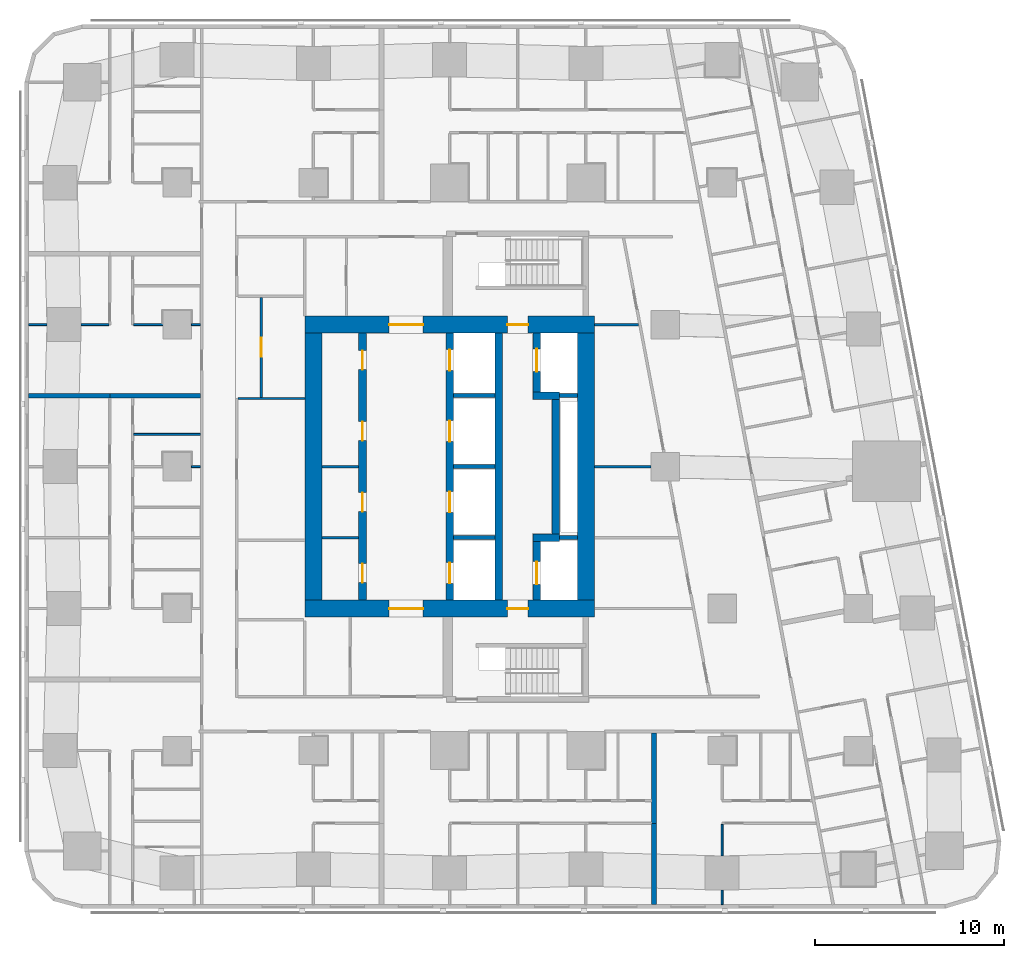
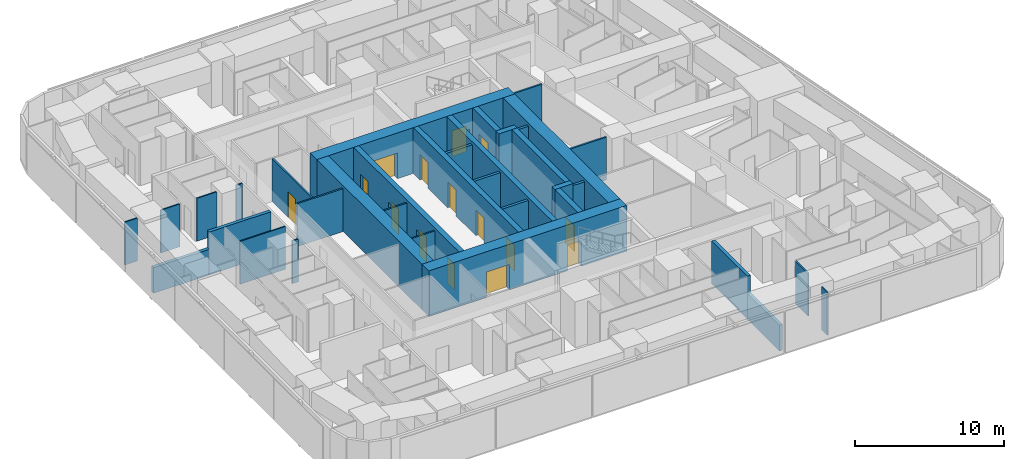
# One storey, part 5 of 14: 35 walls, 15 doors, 15 openings.
"""IFC4 building model written with IfcOpenShell, lengths in metres."""

from ifc_helpers import new_model, si_unit, direction, frame, frame_2d, origin, place, context, subcontext, project, spatial, rectangle, extrude, material, layer, layer_set, type_object, element, fill, save


model = new_model("IFC4")

# Units and contexts
model_context = context("Model", 3, precision=1e-05, world=origin(), true_north=direction((0.0, 1.0)))
body_context = subcontext(model_context, "Body", "Model", "MODEL_VIEW")
ifc_project = project(units=[si_unit("LENGTHUNIT", "METRE"), si_unit("AREAUNIT", "SQUARE_METRE"), si_unit("VOLUMEUNIT", "CUBIC_METRE"), si_unit("PLANEANGLEUNIT", "RADIAN"), si_unit("MASSUNIT", "GRAM", prefix="KILO")], contexts=[model_context])

# Site, building, storey
site_placement = place(None, origin())
site = spatial("IfcSite", under=ifc_project, at=site_placement, CompositionType="ELEMENT")
building_placement = place(site_placement, origin())
building = spatial("IfcBuilding", under=site, at=building_placement, Name="Sheger Commons Tower", CompositionType="ELEMENT")
storey_placement = place(building_placement, frame((0.0, 0.0, 135.800048828125)))
storey = spatial("IfcBuildingStorey", under=building, at=storey_placement, Name="L34", CompositionType="ELEMENT", Elevation=135.800048828125)

# Wall, openings, doors
ifc_material_1 = material(Name="Concrete C50/60", Category="concrete")
ifc_layer_1 = layer(ifc_material_1, 0.39990234375)
ifc_layer_set_1 = layer_set([ifc_layer_1], Name="CORE INNER WALL 400")
wall_type_1 = type_object("IfcWallType", Name="CORE INNER WALL 400", PredefinedType="SHEAR", material=ifc_layer_set_1)
wall_1_placement = place(storey_placement, frame((17.0, 15.449951171875, 0.0), z_axis=(0.0, 0.0, 1.0), x_axis=(0.0, 1.0, 0.0)))
wall_1 = element("IfcWall", 1, at=wall_1_placement, inside=storey, type_object=wall_type_1, Name="Core inner wall A L34", PredefinedType="SHEAR", context=body_context, shape_type="SweptSolid", body=[
    extrude(rectangle(XDim=14.10009765625, YDim=0.39990234375, at=frame_2d((7.050048828125, 0.0))), origin(), (0.0, 0.0, 1.0), 3.75),
])
opening_1_placement = place(wall_1_placement, frame((0.925048828125, 0.0, 0.0)))
opening_1 = element("IfcOpeningElement", 2, at=opening_1_placement, cuts=wall_1, Name="Opening D4", PredefinedType="OPENING", context=body_context, shape_type="SweptSolid", body=[
    extrude(rectangle(XDim=1.0, YDim=2.10009765625, at=frame_2d((0.5, 1.050048828125))), frame((0.0, 0.2099609375, 0.0), z_axis=(0.0, -1.0, 0.0), x_axis=(1.0, 0.0, 0.0)), (0.0, 0.0, 1.0), 0.419921875),
])
opening_2_placement = place(wall_1_placement, frame((4.675048828125, 0.0, 0.0)))
opening_2 = element("IfcOpeningElement", 3, at=opening_2_placement, cuts=wall_1, Name="Opening D4", PredefinedType="OPENING", context=body_context, shape_type="SweptSolid", body=[
    extrude(rectangle(XDim=1.0, YDim=2.10009765625, at=frame_2d((0.5, 1.050048828125))), frame((0.0, 0.2099609375, 0.0), z_axis=(0.0, -1.0, 0.0), x_axis=(1.0, 0.0, 0.0)), (0.0, 0.0, 1.0), 0.419921875),
])
opening_3_placement = place(wall_1_placement, frame((8.425048828125, 0.0, 0.0)))
opening_3 = element("IfcOpeningElement", 4, at=opening_3_placement, cuts=wall_1, Name="Opening D4", PredefinedType="OPENING", context=body_context, shape_type="SweptSolid", body=[
    extrude(rectangle(XDim=1.0, YDim=2.10009765625, at=frame_2d((0.5, 1.050048828125))), frame((0.0, 0.2099609375, 0.0), z_axis=(0.0, -1.0, 0.0), x_axis=(1.0, 0.0, 0.0)), (0.0, 0.0, 1.0), 0.419921875),
])
opening_4_placement = place(wall_1_placement, frame((12.175048828125, 0.0, 0.0)))
opening_4 = element("IfcOpeningElement", 5, at=opening_4_placement, cuts=wall_1, Name="Opening D4", PredefinedType="OPENING", context=body_context, shape_type="SweptSolid", body=[
    extrude(rectangle(XDim=1.0, YDim=2.10009765625, at=frame_2d((0.5, 1.050048828125))), frame((0.0, 0.2099609375, 0.0), z_axis=(0.0, -1.0, 0.0), x_axis=(1.0, 0.0, 0.0)), (0.0, 0.0, 1.0), 0.419921875),
])
ifc_material_2 = material(Name="Steel door set, fire rated", Category="steel")
door_type_1 = type_object("IfcDoorType", Name="SERVICE DOOR 1000x2100", OperationType="NOTDEFINED", PredefinedType="DOOR", material=ifc_material_2)
door_1_placement = place(opening_1_placement, origin())
door_1 = element("IfcDoor", 6, at=door_1_placement, inside=storey, type_object=door_type_1, Name="Staff WC door", OperationType="SINGLE_SWING_LEFT", OverallHeight=2.10009765625, OverallWidth=1.0, PredefinedType="DOOR", context=body_context, shape_type="SweptSolid", body=[
    extrude(rectangle(XDim=1.0, YDim=2.10009765625, at=frame_2d((0.5, 1.050048828125))), frame((0.0, 0.02490234375, 0.0), z_axis=(0.0, -1.0, 0.0), x_axis=(1.0, 0.0, 0.0)), (0.0, 0.0, 1.0), 0.050048828125),
])
fill(opening_1, door_1)
door_2_placement = place(opening_2_placement, origin())
door_2 = element("IfcDoor", 7, at=door_2_placement, inside=storey, type_object=door_type_1, Name="Cleaner's store door", OperationType="SINGLE_SWING_RIGHT", OverallHeight=2.10009765625, OverallWidth=1.0, PredefinedType="DOOR", context=body_context, shape_type="SweptSolid", body=[
    extrude(rectangle(XDim=1.0, YDim=2.10009765625, at=frame_2d((0.5, 1.050048828125))), frame((0.0, 0.02490234375, 0.0), z_axis=(0.0, -1.0, 0.0), x_axis=(1.0, 0.0, 0.0)), (0.0, 0.0, 1.0), 0.050048828125),
])
fill(opening_2, door_2)
door_3_placement = place(opening_3_placement, origin())
door_3 = element("IfcDoor", 8, at=door_3_placement, inside=storey, type_object=door_type_1, Name="Linen and housekeeping store door", OperationType="SINGLE_SWING_LEFT", OverallHeight=2.10009765625, OverallWidth=1.0, PredefinedType="DOOR", context=body_context, shape_type="SweptSolid", body=[
    extrude(rectangle(XDim=1.0, YDim=2.10009765625, at=frame_2d((0.5, 1.050048828125))), frame((0.0, 0.02490234375, 0.0), z_axis=(0.0, -1.0, 0.0), x_axis=(1.0, 0.0, 0.0)), (0.0, 0.0, 1.0), 0.050048828125),
])
fill(opening_3, door_3)
door_4_placement = place(opening_4_placement, origin())
door_4 = element("IfcDoor", 9, at=door_4_placement, inside=storey, type_object=door_type_1, Name="Linen and housekeeping store door", OperationType="SINGLE_SWING_RIGHT", OverallHeight=2.10009765625, OverallWidth=1.0, PredefinedType="DOOR", context=body_context, shape_type="SweptSolid", body=[
    extrude(rectangle(XDim=1.0, YDim=2.10009765625, at=frame_2d((0.5, 1.050048828125))), frame((0.0, 0.02490234375, 0.0), z_axis=(0.0, -1.0, 0.0), x_axis=(1.0, 0.0, 0.0)), (0.0, 0.0, 1.0), 0.050048828125),
])
fill(opening_4, door_4)

wall_2_placement = place(storey_placement, frame((21.60009765625, 15.449951171875, 0.0), z_axis=(0.0, 0.0, 1.0), x_axis=(0.0, 1.0, 0.0)))
wall_2 = element("IfcWall", 10, at=wall_2_placement, inside=storey, type_object=wall_type_1, Name="Core inner wall L L34", PredefinedType="SHEAR", context=body_context, shape_type="SweptSolid", body=[
    extrude(rectangle(XDim=14.10009765625, YDim=0.39990234375, at=frame_2d((7.050048828125, 0.0))), origin(), (0.0, 0.0, 1.0), 3.75),
])
opening_5_placement = place(wall_2_placement, frame((0.875, 0.0, 0.0)))
opening_5 = element("IfcOpeningElement", 11, at=opening_5_placement, cuts=wall_2, Name="Opening LD", PredefinedType="OPENING", context=body_context, shape_type="SweptSolid", body=[
    extrude(rectangle(XDim=1.10009765625, YDim=2.10009765625, at=frame_2d((0.550048828125, 1.050048828125))), frame((0.0, 0.2099609375, 0.0), z_axis=(0.0, -1.0, 0.0), x_axis=(1.0, 0.0, 0.0)), (0.0, 0.0, 1.0), 0.419921875),
])
opening_6_placement = place(wall_2_placement, frame((4.625, 0.0, 0.0)))
opening_6 = element("IfcOpeningElement", 12, at=opening_6_placement, cuts=wall_2, Name="Opening LD", PredefinedType="OPENING", context=body_context, shape_type="SweptSolid", body=[
    extrude(rectangle(XDim=1.10009765625, YDim=2.10009765625, at=frame_2d((0.550048828125, 1.050048828125))), frame((0.0, 0.2099609375, 0.0), z_axis=(0.0, -1.0, 0.0), x_axis=(1.0, 0.0, 0.0)), (0.0, 0.0, 1.0), 0.419921875),
])
opening_7_placement = place(wall_2_placement, frame((8.375, 0.0, 0.0)))
opening_7 = element("IfcOpeningElement", 13, at=opening_7_placement, cuts=wall_2, Name="Opening LD", PredefinedType="OPENING", context=body_context, shape_type="SweptSolid", body=[
    extrude(rectangle(XDim=1.10009765625, YDim=2.10009765625, at=frame_2d((0.550048828125, 1.050048828125))), frame((0.0, 0.2099609375, 0.0), z_axis=(0.0, -1.0, 0.0), x_axis=(1.0, 0.0, 0.0)), (0.0, 0.0, 1.0), 0.419921875),
])
opening_8_placement = place(wall_2_placement, frame((12.125, 0.0, 0.0)))
opening_8 = element("IfcOpeningElement", 14, at=opening_8_placement, cuts=wall_2, Name="Opening LD", PredefinedType="OPENING", context=body_context, shape_type="SweptSolid", body=[
    extrude(rectangle(XDim=1.10009765625, YDim=2.10009765625, at=frame_2d((0.550048828125, 1.050048828125))), frame((0.0, 0.2099609375, 0.0), z_axis=(0.0, -1.0, 0.0), x_axis=(1.0, 0.0, 0.0)), (0.0, 0.0, 1.0), 0.419921875),
])
ifc_material_3 = material(Name="Steel door set, fire rated", Category="steel")
door_type_2 = type_object("IfcDoorType", Name="LIFT LANDING DOOR 1100x2100", OperationType="DOUBLE_DOOR_SLIDING", PredefinedType="DOOR", material=ifc_material_3)
door_5_placement = place(opening_5_placement, origin())
door_5 = element("IfcDoor", 15, at=door_5_placement, inside=storey, type_object=door_type_2, Name="Lift LB1 landing door", OperationType="DOUBLE_DOOR_SLIDING", OverallHeight=2.10009765625, OverallWidth=1.10009765625, PredefinedType="DOOR", context=body_context, shape_type="SweptSolid", body=[
    extrude(rectangle(XDim=1.10009765625, YDim=2.10009765625, at=frame_2d((0.550048828125, 1.050048828125))), frame((0.0, 0.02490234375, 0.0), z_axis=(0.0, -1.0, 0.0), x_axis=(1.0, 0.0, 0.0)), (0.0, 0.0, 1.0), 0.050048828125),
])
fill(opening_5, door_5)
door_6_placement = place(opening_6_placement, origin())
door_6 = element("IfcDoor", 16, at=door_6_placement, inside=storey, type_object=door_type_2, Name="Lift LB2 landing door", OperationType="DOUBLE_DOOR_SLIDING", OverallHeight=2.10009765625, OverallWidth=1.10009765625, PredefinedType="DOOR", context=body_context, shape_type="SweptSolid", body=[
    extrude(rectangle(XDim=1.10009765625, YDim=2.10009765625, at=frame_2d((0.550048828125, 1.050048828125))), frame((0.0, 0.02490234375, 0.0), z_axis=(0.0, -1.0, 0.0), x_axis=(1.0, 0.0, 0.0)), (0.0, 0.0, 1.0), 0.050048828125),
])
fill(opening_6, door_6)
door_7_placement = place(opening_7_placement, origin())
door_7 = element("IfcDoor", 17, at=door_7_placement, inside=storey, type_object=door_type_2, Name="Lift LB3 landing door", OperationType="DOUBLE_DOOR_SLIDING", OverallHeight=2.10009765625, OverallWidth=1.10009765625, PredefinedType="DOOR", context=body_context, shape_type="SweptSolid", body=[
    extrude(rectangle(XDim=1.10009765625, YDim=2.10009765625, at=frame_2d((0.550048828125, 1.050048828125))), frame((0.0, 0.02490234375, 0.0), z_axis=(0.0, -1.0, 0.0), x_axis=(1.0, 0.0, 0.0)), (0.0, 0.0, 1.0), 0.050048828125),
])
fill(opening_7, door_7)
door_8_placement = place(opening_8_placement, origin())
door_8 = element("IfcDoor", 18, at=door_8_placement, inside=storey, type_object=door_type_2, Name="Lift LB4 landing door", OperationType="DOUBLE_DOOR_SLIDING", OverallHeight=2.10009765625, OverallWidth=1.10009765625, PredefinedType="DOOR", context=body_context, shape_type="SweptSolid", body=[
    extrude(rectangle(XDim=1.10009765625, YDim=2.10009765625, at=frame_2d((0.550048828125, 1.050048828125))), frame((0.0, 0.02490234375, 0.0), z_axis=(0.0, -1.0, 0.0), x_axis=(1.0, 0.0, 0.0)), (0.0, 0.0, 1.0), 0.050048828125),
])
fill(opening_8, door_8)

# Wall
wall_3_placement = place(storey_placement, frame((24.199951171875, 15.449951171875, 0.0), z_axis=(0.0, 0.0, 1.0), x_axis=(0.0, 1.0, 0.0)))
element("IfcWall", 19, at=wall_3_placement, inside=storey, type_object=wall_type_1, Name="Core inner wall B L34", PredefinedType="SHEAR", context=body_context, shape_type="SweptSolid", body=[
    extrude(rectangle(XDim=14.10009765625, YDim=0.39990234375, at=frame_2d((7.050048828125, 0.0))), origin(), (0.0, 0.0, 1.0), 3.75),
])

# Wall, opening, door
wall_4_placement = place(storey_placement, frame((26.199951171875, 15.449951171875, 0.0), z_axis=(0.0, 0.0, 1.0), x_axis=(0.0, 1.0, 0.0)))
wall_4 = element("IfcWall", 20, at=wall_4_placement, inside=storey, type_object=wall_type_1, Name="Core inner wall F L34", PredefinedType="SHEAR", context=body_context, shape_type="SweptSolid", body=[
    extrude(rectangle(XDim=3.10009765625, YDim=0.39990234375, at=frame_2d((1.550048828125, 0.0))), origin(), (0.0, 0.0, 1.0), 3.75),
])
opening_9_placement = place(wall_4_placement, frame((0.824951171875, 0.0, 0.0)))
opening_9 = element("IfcOpeningElement", 21, at=opening_9_placement, cuts=wall_4, Name="Opening LD2", PredefinedType="OPENING", context=body_context, shape_type="SweptSolid", body=[
    extrude(rectangle(XDim=1.199951171875, YDim=2.10009765625, at=frame_2d((0.60009765625, 1.050048828125))), frame((0.0, 0.2099609375, 0.0), z_axis=(0.0, -1.0, 0.0), x_axis=(1.0, 0.0, 0.0)), (0.0, 0.0, 1.0), 0.419921875),
])
ifc_material_4 = material(Name="Steel door set, fire rated", Category="steel")
door_type_3 = type_object("IfcDoorType", Name="FIREFIGHTING LIFT LANDING DOOR 1200x2100", OperationType="DOUBLE_DOOR_SLIDING", PredefinedType="DOOR", material=ifc_material_4)
door_9_placement = place(opening_9_placement, origin())
door_9 = element("IfcDoor", 22, at=door_9_placement, inside=storey, type_object=door_type_3, Name="Lift FL1 landing door", OperationType="DOUBLE_DOOR_SLIDING", OverallHeight=2.10009765625, OverallWidth=1.199951171875, PredefinedType="DOOR", context=body_context, shape_type="SweptSolid", body=[
    extrude(rectangle(XDim=1.199951171875, YDim=2.10009765625, at=frame_2d((0.60009765625, 1.050048828125))), frame((0.0, 0.02490234375, 0.0), z_axis=(0.0, -1.0, 0.0), x_axis=(1.0, 0.0, 0.0)), (0.0, 0.0, 1.0), 0.050048828125),
])
fill(opening_9, door_9)

# Walls
wall_5_placement = place(storey_placement, frame((26.0, 18.75, 0.0), z_axis=(0.0, 0.0, 1.0), x_axis=(1.0, 0.0, 0.0)))
element("IfcWall", 23, at=wall_5_placement, inside=storey, type_object=wall_type_1, Name="Core inner wall F south return L34", PredefinedType="SHEAR", context=body_context, shape_type="SweptSolid", body=[
    extrude(rectangle(XDim=1.39990234375, YDim=0.39990234375, at=frame_2d((0.699951171875, 0.0))), origin(), (0.0, 0.0, 1.0), 3.75),
])
wall_6_placement = place(storey_placement, frame((27.199951171875, 18.949951171875, 0.0), z_axis=(0.0, 0.0, 1.0), x_axis=(0.0, 1.0, 0.0)))
element("IfcWall", 24, at=wall_6_placement, inside=storey, type_object=wall_type_1, Name="Core inner wall F middle L34", PredefinedType="SHEAR", context=body_context, shape_type="SweptSolid", body=[
    extrude(rectangle(XDim=7.10009765625, YDim=0.39990234375, at=frame_2d((3.550048828125, 0.0))), origin(), (0.0, 0.0, 1.0), 3.75),
])
wall_7_placement = place(storey_placement, frame((26.0, 26.25, 0.0), z_axis=(0.0, 0.0, 1.0), x_axis=(1.0, 0.0, 0.0)))
element("IfcWall", 25, at=wall_7_placement, inside=storey, type_object=wall_type_1, Name="Core inner wall F north return L34", PredefinedType="SHEAR", context=body_context, shape_type="SweptSolid", body=[
    extrude(rectangle(XDim=1.39990234375, YDim=0.39990234375, at=frame_2d((0.699951171875, 0.0))), origin(), (0.0, 0.0, 1.0), 3.75),
])

# Wall, opening, door
wall_8_placement = place(storey_placement, frame((26.199951171875, 26.449951171875, 0.0), z_axis=(0.0, 0.0, 1.0), x_axis=(0.0, 1.0, 0.0)))
wall_8 = element("IfcWall", 26, at=wall_8_placement, inside=storey, type_object=wall_type_1, Name="Core inner wall F north L34", PredefinedType="SHEAR", context=body_context, shape_type="SweptSolid", body=[
    extrude(rectangle(XDim=3.10009765625, YDim=0.39990234375, at=frame_2d((1.550048828125, 0.0))), origin(), (0.0, 0.0, 1.0), 3.75),
])
opening_10_placement = place(wall_8_placement, frame((1.074951171875, 0.0, 0.0)))
opening_10 = element("IfcOpeningElement", 27, at=opening_10_placement, cuts=wall_8, Name="Opening LD2", PredefinedType="OPENING", context=body_context, shape_type="SweptSolid", body=[
    extrude(rectangle(XDim=1.199951171875, YDim=2.10009765625, at=frame_2d((0.60009765625, 1.050048828125))), frame((0.0, 0.2099609375, 0.0), z_axis=(0.0, -1.0, 0.0), x_axis=(1.0, 0.0, 0.0)), (0.0, 0.0, 1.0), 0.419921875),
])
door_10_placement = place(opening_10_placement, origin())
door_10 = element("IfcDoor", 28, at=door_10_placement, inside=storey, type_object=door_type_3, Name="Lift FL2 landing door", OperationType="DOUBLE_DOOR_SLIDING", OverallHeight=2.10009765625, OverallWidth=1.199951171875, PredefinedType="DOOR", context=body_context, shape_type="SweptSolid", body=[
    extrude(rectangle(XDim=1.199951171875, YDim=2.10009765625, at=frame_2d((0.60009765625, 1.050048828125))), frame((0.0, 0.02490234375, 0.0), z_axis=(0.0, -1.0, 0.0), x_axis=(1.0, 0.0, 0.0)), (0.0, 0.0, 1.0), 0.050048828125),
])
fill(opening_10, door_10)

# Wall, openings, doors
ifc_material_5 = material(Name="Concrete C50/60", Category="concrete")
ifc_layer_2 = layer(ifc_material_5, 0.89990234375)
ifc_layer_set_2 = layer_set([ifc_layer_2], Name="CORE WALL 900")
wall_type_2 = type_object("IfcWallType", Name="CORE WALL 900", PredefinedType="SHEAR", material=ifc_layer_set_2)
wall_9_placement = place(storey_placement, frame((13.949951171875, 15.0, 0.0), z_axis=(0.0, 0.0, 1.0), x_axis=(1.0, 0.0, 0.0)))
wall_9 = element("IfcWall", 29, at=wall_9_placement, inside=storey, type_object=wall_type_2, Name="Core wall south L34", PredefinedType="SHEAR", context=body_context, shape_type="SweptSolid", body=[
    extrude(rectangle(XDim=15.300048828125, YDim=0.89990234375, at=frame_2d((7.64990234375, 0.0))), origin(), (0.0, 0.0, 1.0), 3.75),
])
opening_11_placement = place(wall_9_placement, frame((4.449951171875, 0.0, 0.0)))
opening_11 = element("IfcOpeningElement", 30, at=opening_11_placement, cuts=wall_9, Name="Opening D6", PredefinedType="OPENING", context=body_context, shape_type="SweptSolid", body=[
    extrude(rectangle(XDim=1.800048828125, YDim=2.10009765625, at=frame_2d((0.89990234375, 1.050048828125))), frame((0.0, 0.4599609375, 0.0), z_axis=(0.0, -1.0, 0.0), x_axis=(1.0, 0.0, 0.0)), (0.0, 0.0, 1.0), 0.919921875),
])
opening_12_placement = place(wall_9_placement, frame((10.699951171875, 0.0, 0.0)))
opening_12 = element("IfcOpeningElement", 31, at=opening_12_placement, cuts=wall_9, Name="Opening D5", PredefinedType="OPENING", context=body_context, shape_type="SweptSolid", body=[
    extrude(rectangle(XDim=1.10009765625, YDim=2.10009765625, at=frame_2d((0.550048828125, 1.050048828125))), frame((0.0, 0.4599609375, 0.0), z_axis=(0.0, -1.0, 0.0), x_axis=(1.0, 0.0, 0.0)), (0.0, 0.0, 1.0), 0.919921875),
])
ifc_material_6 = material(Name="Steel door set, fire rated", Category="steel")
door_type_4 = type_object("IfcDoorType", Name="LOBBY DOUBLE DOOR 1800x2100", OperationType="DOUBLE_DOOR_SINGLE_SWING", PredefinedType="DOOR", material=ifc_material_6)
door_11_placement = place(opening_11_placement, origin())
door_11 = element("IfcDoor", 32, at=door_11_placement, inside=storey, type_object=door_type_4, Name="Lift lobby door", OperationType="DOUBLE_DOOR_SINGLE_SWING", OverallHeight=2.10009765625, OverallWidth=1.800048828125, PredefinedType="DOOR", context=body_context, shape_type="SweptSolid", body=[
    extrude(rectangle(XDim=1.800048828125, YDim=2.10009765625, at=frame_2d((0.89990234375, 1.050048828125))), frame((0.0, 0.02490234375, 0.0), z_axis=(0.0, -1.0, 0.0), x_axis=(1.0, 0.0, 0.0)), (0.0, 0.0, 1.0), 0.050048828125),
])
fill(opening_11, door_11)
ifc_material_7 = material(Name="Steel door set, fire rated", Category="steel")
door_type_5 = type_object("IfcDoorType", Name="STAIR DOOR 1100x2100", OperationType="NOTDEFINED", PredefinedType="DOOR", material=ifc_material_7)
door_12_placement = place(opening_12_placement, origin())
door_12 = element("IfcDoor", 33, at=door_12_placement, inside=storey, type_object=door_type_5, Name="Fire-fighting lobby door", OperationType="SINGLE_SWING_RIGHT", OverallHeight=2.10009765625, OverallWidth=1.10009765625, PredefinedType="DOOR", context=body_context, shape_type="SweptSolid", body=[
    extrude(rectangle(XDim=1.10009765625, YDim=2.10009765625, at=frame_2d((0.550048828125, 1.050048828125))), frame((0.0, 0.02490234375, 0.0), z_axis=(0.0, -1.0, 0.0), x_axis=(1.0, 0.0, 0.0)), (0.0, 0.0, 1.0), 0.050048828125),
])
fill(opening_12, door_12)

wall_10_placement = place(storey_placement, frame((13.949951171875, 30.0, 0.0), z_axis=(0.0, 0.0, 1.0), x_axis=(1.0, 0.0, 0.0)))
wall_10 = element("IfcWall", 34, at=wall_10_placement, inside=storey, type_object=wall_type_2, Name="Core wall north L34", PredefinedType="SHEAR", context=body_context, shape_type="SweptSolid", body=[
    extrude(rectangle(XDim=15.300048828125, YDim=0.89990234375, at=frame_2d((7.64990234375, 0.0))), origin(), (0.0, 0.0, 1.0), 3.75),
])
opening_13_placement = place(wall_10_placement, frame((4.449951171875, 0.0, 0.0)))
opening_13 = element("IfcOpeningElement", 35, at=opening_13_placement, cuts=wall_10, Name="Opening D6", PredefinedType="OPENING", context=body_context, shape_type="SweptSolid", body=[
    extrude(rectangle(XDim=1.800048828125, YDim=2.10009765625, at=frame_2d((0.89990234375, 1.050048828125))), frame((0.0, 0.4599609375, 0.0), z_axis=(0.0, -1.0, 0.0), x_axis=(1.0, 0.0, 0.0)), (0.0, 0.0, 1.0), 0.919921875),
])
opening_14_placement = place(wall_10_placement, frame((10.699951171875, 0.0, 0.0)))
opening_14 = element("IfcOpeningElement", 36, at=opening_14_placement, cuts=wall_10, Name="Opening D5", PredefinedType="OPENING", context=body_context, shape_type="SweptSolid", body=[
    extrude(rectangle(XDim=1.10009765625, YDim=2.10009765625, at=frame_2d((0.550048828125, 1.050048828125))), frame((0.0, 0.4599609375, 0.0), z_axis=(0.0, -1.0, 0.0), x_axis=(1.0, 0.0, 0.0)), (0.0, 0.0, 1.0), 0.919921875),
])
door_13_placement = place(opening_13_placement, origin())
door_13 = element("IfcDoor", 37, at=door_13_placement, inside=storey, type_object=door_type_4, Name="Lift lobby door", OperationType="DOUBLE_DOOR_SINGLE_SWING", OverallHeight=2.10009765625, OverallWidth=1.800048828125, PredefinedType="DOOR", context=body_context, shape_type="SweptSolid", body=[
    extrude(rectangle(XDim=1.800048828125, YDim=2.10009765625, at=frame_2d((0.89990234375, 1.050048828125))), frame((0.0, 0.02490234375, 0.0), z_axis=(0.0, -1.0, 0.0), x_axis=(1.0, 0.0, 0.0)), (0.0, 0.0, 1.0), 0.050048828125),
])
fill(opening_13, door_13)
door_14_placement = place(opening_14_placement, origin())
door_14 = element("IfcDoor", 38, at=door_14_placement, inside=storey, type_object=door_type_5, Name="Fire-fighting lobby door", OperationType="SINGLE_SWING_RIGHT", OverallHeight=2.10009765625, OverallWidth=1.10009765625, PredefinedType="DOOR", context=body_context, shape_type="SweptSolid", body=[
    extrude(rectangle(XDim=1.10009765625, YDim=2.10009765625, at=frame_2d((0.550048828125, 1.050048828125))), frame((0.0, 0.02490234375, 0.0), z_axis=(0.0, -1.0, 0.0), x_axis=(1.0, 0.0, 0.0)), (0.0, 0.0, 1.0), 0.050048828125),
])
fill(opening_14, door_14)

# Walls
for number, where, z_axis, x_axis, name in (
    (39, (14.39990234375, 15.449951171875, 0.0), (0.0, 0.0, 1.0), (0.0, 1.0, 0.0), "Core wall west L34"),
    (40, (28.800048828125, 15.449951171875, 0.0), (0.0, 0.0, 1.0), (0.0, 1.0, 0.0), "Core wall east L34"),
):
    element("IfcWall", number, at=place(storey_placement, frame(where, z_axis=z_axis, x_axis=x_axis)), inside=storey, type_object=wall_type_2, Name=name, PredefinedType="SHEAR", context=body_context, shape_type="SweptSolid", body=[
        extrude(rectangle(XDim=14.10009765625, YDim=0.89990234375, at=frame_2d((7.050048828125, 0.0))), origin(), (0.0, 0.0, 1.0), 3.75),
    ])
ifc_material_8 = material(Name="Dense concrete block masonry, plastered both sides (separating wall between flats)", Category="masonry")
ifc_layer_3 = layer(ifc_material_8, 0.25)
ifc_layer_set_3 = layer_set([ifc_layer_3], Name="DEMISING WALL 250")
wall_type_3 = type_object("IfcWallType", Name="DEMISING WALL 250", PredefinedType="SOLIDWALL", material=ifc_layer_set_3)
wall_11_placement = place(storey_placement, frame((-0.64990234375, 26.25, 0.0), z_axis=(0.0, 0.0, 1.0), x_axis=(1.0, 0.0, 0.0)))
element("IfcWall", 41, at=wall_11_placement, inside=storey, type_object=wall_type_3, Name="Demising wall L34", PredefinedType="SOLIDWALL", context=body_context, shape_type="SweptSolid", body=[
    extrude(rectangle(XDim=4.2998046875, YDim=0.25, at=frame_2d((2.14990234375, 0.0))), origin(), (0.0, 0.0, 1.0), 2.099853515625),
])
wall_12_placement = place(storey_placement, frame((3.64990234375, 26.25, 0.0), z_axis=(0.0, 0.0, 1.0), x_axis=(1.0, 0.0, 0.0)))
element("IfcWall", 42, at=wall_12_placement, inside=storey, type_object=wall_type_3, Name="Demising wall L34", PredefinedType="SOLIDWALL", context=body_context, shape_type="SweptSolid", body=[
    extrude(rectangle(XDim=4.775146484375, YDim=0.25, at=frame_2d((2.3876953125, 0.0))), origin(), (0.0, 0.0, 1.0), 3.5),
])
wall_13_placement = place(storey_placement, frame((32.39990234375, -0.64990234375, 0.0), z_axis=(0.0, 0.0, 1.0), x_axis=(0.0, 1.0, 0.0)))
element("IfcWall", 43, at=wall_13_placement, inside=storey, type_object=wall_type_3, Name="Demising wall L34", PredefinedType="SOLIDWALL", context=body_context, shape_type="SweptSolid", body=[
    extrude(rectangle(XDim=4.2998046875, YDim=0.25, at=frame_2d((2.14990234375, 0.0))), origin(), (0.0, 0.0, 1.0), 2.099853515625),
])
wall_14_placement = place(storey_placement, frame((32.39990234375, 3.64990234375, 0.0), z_axis=(0.0, 0.0, 1.0), x_axis=(0.0, 1.0, 0.0)))
element("IfcWall", 44, at=wall_14_placement, inside=storey, type_object=wall_type_3, Name="Demising wall L34", PredefinedType="SOLIDWALL", context=body_context, shape_type="SweptSolid", body=[
    extrude(rectangle(XDim=4.775146484375, YDim=0.25, at=frame_2d((2.3876953125, 0.0))), origin(), (0.0, 0.0, 1.0), 3.5),
])
ifc_material_9 = material(Name="Gypsum board on steel studs", Category="steel")
ifc_layer_4 = layer(ifc_material_9, 0.10009765625)
ifc_layer_set_4 = layer_set([ifc_layer_4], Name="PARTITION 100")
wall_type_4 = type_object("IfcWallType", Name="PARTITION 100", PredefinedType="PARTITIONING", material=ifc_layer_set_4)
wall_15_placement = place(storey_placement, frame((7.950927734375, 22.5, 0.0), z_axis=(0.0, 0.0, 1.0), x_axis=(1.0, 0.0, 0.0)))
element("IfcWall", 45, at=wall_15_placement, inside=storey, type_object=wall_type_4, Name="Partition L34", PredefinedType="PARTITIONING", context=body_context, shape_type="SweptSolid", body=[
    extrude(rectangle(XDim=0.47412109375, YDim=0.10009765625, at=frame_2d((0.237060546875, 0.0))), origin(), (0.0, 0.0, 1.0), 3.5),
])
wall_16_placement = place(storey_placement, frame((4.89990234375, 24.199951171875, 0.0), z_axis=(0.0, 0.0, 1.0), x_axis=(1.0, 0.0, 0.0)))
element("IfcWall", 46, at=wall_16_placement, inside=storey, type_object=wall_type_4, Name="Partition L34", PredefinedType="PARTITIONING", context=body_context, shape_type="SweptSolid", body=[
    extrude(rectangle(XDim=3.525146484375, YDim=0.10009765625, at=frame_2d((1.7626953125, 0.0))), origin(), (0.0, 0.0, 1.0), 3.5),
])
wall_17_placement = place(storey_placement, frame((-0.64990234375, 30.0, 0.0), z_axis=(0.0, 0.0, 1.0), x_axis=(1.0, 0.0, 0.0)))
element("IfcWall", 47, at=wall_17_placement, inside=storey, type_object=wall_type_4, Name="Partition L34", PredefinedType="PARTITIONING", context=body_context, shape_type="SweptSolid", body=[
    extrude(rectangle(XDim=0.973876953125, YDim=0.10009765625, at=frame_2d((0.48681640625, 0.0))), origin(), (0.0, 0.0, 1.0), 3.5),
])
wall_18_placement = place(storey_placement, frame((2.1259765625, 30.0, 0.0), z_axis=(0.0, 0.0, 1.0), x_axis=(1.0, 0.0, 0.0)))
element("IfcWall", 48, at=wall_18_placement, inside=storey, type_object=wall_type_4, Name="Partition L34", PredefinedType="PARTITIONING", context=body_context, shape_type="SweptSolid", body=[
    extrude(rectangle(XDim=1.47412109375, YDim=0.10009765625, at=frame_2d((0.737060546875, 0.0))), origin(), (0.0, 0.0, 1.0), 3.5),
])
wall_19_placement = place(storey_placement, frame((4.89990234375, 30.0, 0.0), z_axis=(0.0, 0.0, 1.0), x_axis=(1.0, 0.0, 0.0)))
element("IfcWall", 49, at=wall_19_placement, inside=storey, type_object=wall_type_4, Name="Partition L34", PredefinedType="PARTITIONING", context=body_context, shape_type="SweptSolid", body=[
    extrude(rectangle(XDim=1.549072265625, YDim=0.10009765625, at=frame_2d((0.7744140625, 0.0))), origin(), (0.0, 0.0, 1.0), 3.5),
])
wall_20_placement = place(storey_placement, frame((7.950927734375, 30.0, 0.0), z_axis=(0.0, 0.0, 1.0), x_axis=(1.0, 0.0, 0.0)))
element("IfcWall", 50, at=wall_20_placement, inside=storey, type_object=wall_type_4, Name="Partition L34", PredefinedType="PARTITIONING", context=body_context, shape_type="SweptSolid", body=[
    extrude(rectangle(XDim=0.47412109375, YDim=0.10009765625, at=frame_2d((0.237060546875, 0.0))), origin(), (0.0, 0.0, 1.0), 3.5),
])
wall_21_placement = place(storey_placement, frame((36.0, -0.64990234375, 0.0), z_axis=(0.0, 0.0, 1.0), x_axis=(0.0, 1.0, 0.0)))
element("IfcWall", 51, at=wall_21_placement, inside=storey, type_object=wall_type_4, Name="Partition L34", PredefinedType="PARTITIONING", context=body_context, shape_type="SweptSolid", body=[
    extrude(rectangle(XDim=0.77392578125, YDim=0.10009765625, at=frame_2d((0.386962890625, 0.0))), origin(), (0.0, 0.0, 1.0), 3.5),
])
wall_22_placement = place(storey_placement, frame((36.0, 1.926025390625, 0.0), z_axis=(0.0, 0.0, 1.0), x_axis=(0.0, 1.0, 0.0)))
element("IfcWall", 52, at=wall_22_placement, inside=storey, type_object=wall_type_4, Name="Partition L34", PredefinedType="PARTITIONING", context=body_context, shape_type="SweptSolid", body=[
    extrude(rectangle(XDim=1.674072265625, YDim=0.10009765625, at=frame_2d((0.8369140625, 0.0))), origin(), (0.0, 0.0, 1.0), 3.5),
])

# Wall, opening, door
ifc_material_10 = material(Name="Gypsum board on steel studs, two layers each side, fire rated", Category="steel")
ifc_layer_5 = layer(ifc_material_10, 0.125)
ifc_layer_set_5 = layer_set([ifc_layer_5], Name="SERVICE WALL 125")
wall_type_5 = type_object("IfcWallType", Name="SERVICE WALL 125", PredefinedType="PARTITIONING", material=ifc_layer_set_5)
wall_23_placement = place(storey_placement, frame((11.64990234375, 26.1630859375, 0.0), z_axis=(0.0, 0.0, 1.0), x_axis=(0.0, 1.0, 0.0)))
wall_23 = element("IfcWall", 53, at=wall_23_placement, inside=storey, type_object=wall_type_5, Name="Service room wall L34", PredefinedType="PARTITIONING", context=body_context, shape_type="SweptSolid", body=[
    extrude(rectangle(XDim=5.27490234375, YDim=0.125, at=frame_2d((2.637451171875, 0.0))), origin(), (0.0, 0.0, 1.0), 3.5),
])
opening_15_placement = place(wall_23_placement, frame((2.136962890625, 0.0, 0.0)))
opening_15 = element("IfcOpeningElement", 54, at=opening_15_placement, cuts=wall_23, Name="Opening D4", PredefinedType="OPENING", context=body_context, shape_type="SweptSolid", body=[
    extrude(rectangle(XDim=1.0, YDim=2.10009765625, at=frame_2d((0.5, 1.050048828125))), frame((0.0, 0.072509765625, 0.0), z_axis=(0.0, -1.0, 0.0), x_axis=(1.0, 0.0, 0.0)), (0.0, 0.0, 1.0), 0.14501953125),
])
door_15_placement = place(opening_15_placement, origin())
door_15 = element("IfcDoor", 55, at=door_15_placement, inside=storey, type_object=door_type_1, Name="Laundry and drying room door", OperationType="SINGLE_SWING_RIGHT", OverallHeight=2.10009765625, OverallWidth=1.0, PredefinedType="DOOR", context=body_context, shape_type="SweptSolid", body=[
    extrude(rectangle(XDim=1.0, YDim=2.10009765625, at=frame_2d((0.5, 1.050048828125))), frame((0.0, 0.02490234375, 0.0), z_axis=(0.0, -1.0, 0.0), x_axis=(1.0, 0.0, 0.0)), (0.0, 0.0, 1.0), 0.050048828125),
])
fill(opening_15, door_15)

# Walls
wall_24_placement = place(storey_placement, frame((10.4130859375, 26.10009765625, 0.0), z_axis=(0.0, 0.0, 1.0), x_axis=(1.0, 0.0, 0.0)))
element("IfcWall", 56, at=wall_24_placement, inside=storey, type_object=wall_type_5, Name="Service room wall L34", PredefinedType="PARTITIONING", context=body_context, shape_type="SweptSolid", body=[
    extrude(rectangle(XDim=3.536865234375, YDim=0.125, at=frame_2d((1.7685546875, 0.0))), origin(), (0.0, 0.0, 1.0), 3.5),
])
wall_25_placement = place(storey_placement, frame((29.25, 22.5, 0.0), z_axis=(0.0, 0.0, 1.0), x_axis=(1.0, 0.0, 0.0)))
element("IfcWall", 57, at=wall_25_placement, inside=storey, type_object=wall_type_5, Name="Service room wall L34", PredefinedType="PARTITIONING", context=body_context, shape_type="SweptSolid", body=[
    extrude(rectangle(XDim=2.9990234375, YDim=0.125, at=frame_2d((1.49951171875, 0.0))), origin(), (0.0, 0.0, 1.0), 3.5),
])
wall_26_placement = place(storey_placement, frame((29.25, 30.0, 0.0), z_axis=(0.0, 0.0, 1.0), x_axis=(1.0, 0.0, 0.0)))
element("IfcWall", 58, at=wall_26_placement, inside=storey, type_object=wall_type_5, Name="Service room wall L34", PredefinedType="PARTITIONING", context=body_context, shape_type="SweptSolid", body=[
    extrude(rectangle(XDim=2.342041015625, YDim=0.125, at=frame_2d((1.1708984375, 0.0))), origin(), (0.0, 0.0, 1.0), 3.5),
])
for number, where, z_axis, x_axis, name in (
    (59, (14.85009765625, 18.75, 0.0), (0.0, 0.0, 1.0), (1.0, 0.0, 0.0), "Service room wall L34"),
    (60, (14.85009765625, 22.5, 0.0), (0.0, 0.0, 1.0), (1.0, 0.0, 0.0), "Service room wall L34"),
):
    element("IfcWall", number, at=place(storey_placement, frame(where, z_axis=z_axis, x_axis=x_axis)), inside=storey, type_object=wall_type_5, Name=name, PredefinedType="PARTITIONING", context=body_context, shape_type="SweptSolid", body=[
        extrude(rectangle(XDim=1.949951171875, YDim=0.125, at=frame_2d((0.97509765625, 0.0))), origin(), (0.0, 0.0, 1.0), 3.5),
    ])
ifc_material_11 = material(Name="Hollow concrete block masonry", Category="masonry")
ifc_layer_6 = layer(ifc_material_11, 0.199951171875)
ifc_layer_set_6 = layer_set([ifc_layer_6], Name="SHAFT WALL 200")
wall_type_6 = type_object("IfcWallType", Name="SHAFT WALL 200", PredefinedType="SOLIDWALL", material=ifc_layer_set_6)
for number, where, z_axis, x_axis, name in (
    (61, (21.800048828125, 18.75, 0.0), (0.0, 0.0, 1.0), (1.0, 0.0, 0.0), "Lift shaft wall L34"),
    (62, (21.800048828125, 22.5, 0.0), (0.0, 0.0, 1.0), (1.0, 0.0, 0.0), "Lift shaft wall L34"),
    (63, (21.800048828125, 26.25, 0.0), (0.0, 0.0, 1.0), (1.0, 0.0, 0.0), "Lift shaft wall L34"),
):
    element("IfcWall", number, at=place(storey_placement, frame(where, z_axis=z_axis, x_axis=x_axis)), inside=storey, type_object=wall_type_6, Name=name, PredefinedType="SOLIDWALL", context=body_context, shape_type="SweptSolid", body=[
        extrude(rectangle(XDim=2.199951171875, YDim=0.199951171875, at=frame_2d((1.10009765625, 0.0))), origin(), (0.0, 0.0, 1.0), 3.5),
    ])
for number, where, z_axis, x_axis, name in (
    (64, (27.39990234375, 18.75, 0.0), (0.0, 0.0, 1.0), (1.0, 0.0, 0.0), "Lift shaft wall L34"),
    (65, (27.39990234375, 26.25, 0.0), (0.0, 0.0, 1.0), (1.0, 0.0, 0.0), "Lift shaft wall L34"),
):
    element("IfcWall", number, at=place(storey_placement, frame(where, z_axis=z_axis, x_axis=x_axis)), inside=storey, type_object=wall_type_6, Name=name, PredefinedType="SOLIDWALL", context=body_context, shape_type="SweptSolid", body=[
        extrude(rectangle(XDim=0.9501953125, YDim=0.199951171875, at=frame_2d((0.47509765625, 0.0))), origin(), (0.0, 0.0, 1.0), 3.5),
    ])

save(model, "model.ifc")
